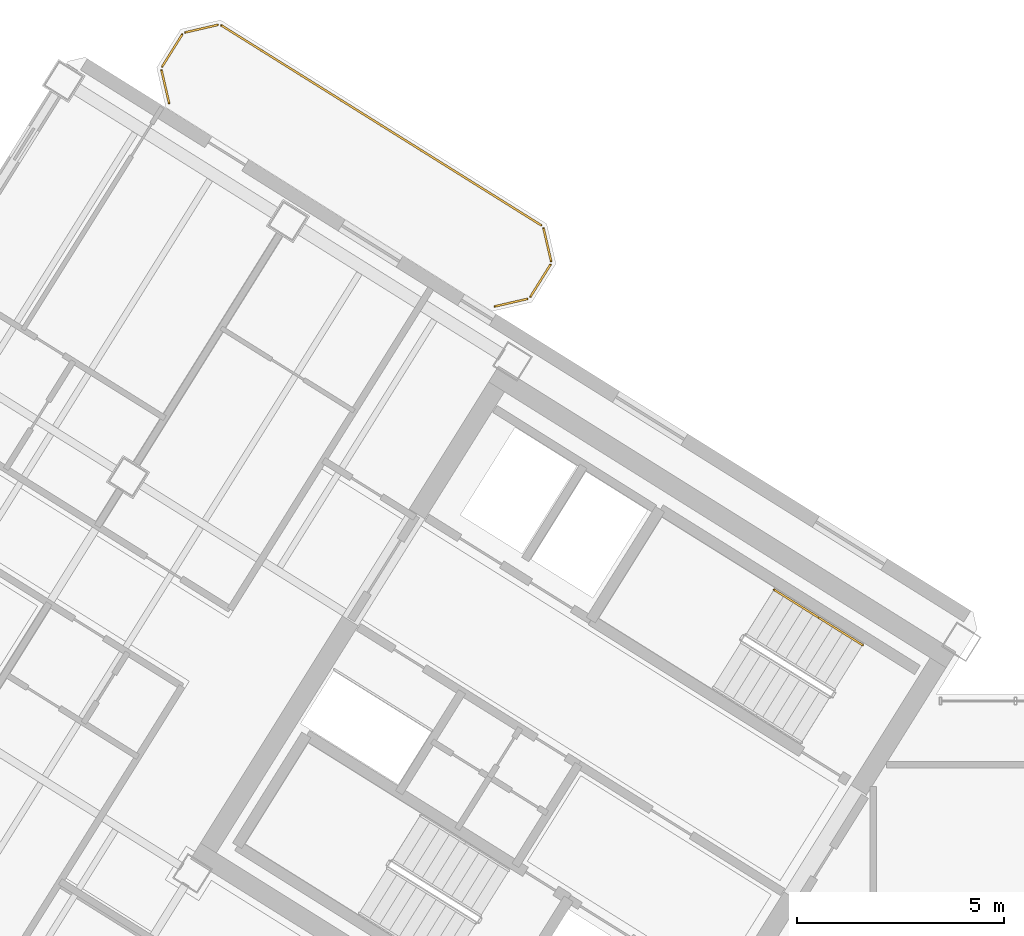
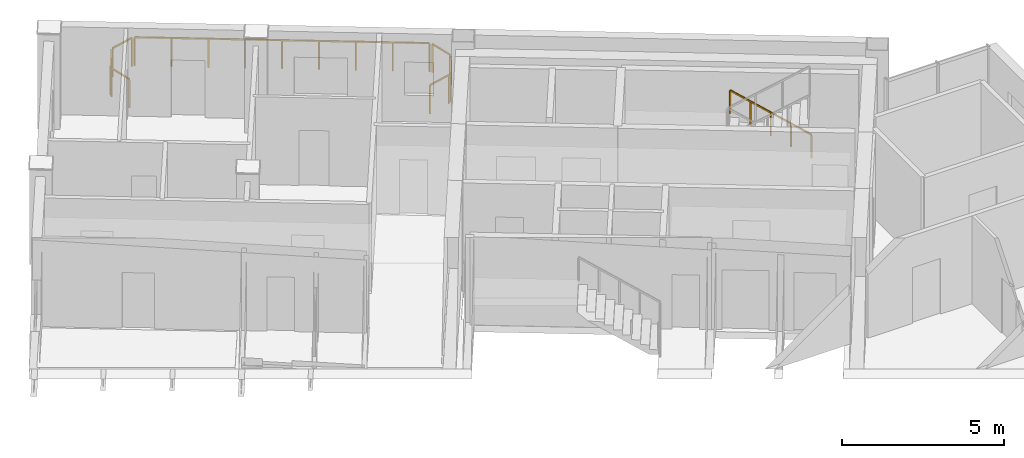
# One storey, part 13 of 13: 9 railings.
"""IFC4 building model written with IfcOpenShell, lengths in metres."""

from ifc_helpers import new_model, si_unit, direction, frame, origin, origin_2d, place, context, subcontext, project, spatial, rectangle, extrude, source, transform, mapped, material, type_object, element, save


model = new_model("IFC4")

# Units and contexts
model_context = context("Model", 3, precision=1e-05, world=origin(), true_north=direction((0.0, 1.0)))
body_context = subcontext(model_context, "Body", "Model", "MODEL_VIEW")
ifc_project = project(units=[si_unit("LENGTHUNIT", "METRE"), si_unit("AREAUNIT", "SQUARE_METRE"), si_unit("VOLUMEUNIT", "CUBIC_METRE"), si_unit("PLANEANGLEUNIT", "RADIAN"), si_unit("MASSUNIT", "GRAM", prefix="KILO")], contexts=[model_context])

# Site, building, storey
site_placement = place(None, origin())
site = spatial("IfcSite", under=ifc_project, at=site_placement, CompositionType="ELEMENT")
building_placement = place(site_placement, origin())
building = spatial("IfcBuilding", under=site, at=building_placement, Name="Tlacorven Tower", CompositionType="ELEMENT")
storey_placement = place(building_placement, frame((0.0, 0.0, 295.199951171875)))
storey = spatial("IfcBuildingStorey", under=building, at=storey_placement, Name="L75", CompositionType="ELEMENT", Elevation=295.199951171875)

# Railings
ifc_material = material(Name="Aluminium and painted steel balustrade", Category="steel")
railing_type_1 = type_object("IfcRailingType", Name="RL-BAL-1100", PredefinedType="BALUSTRADE", material=ifc_material)
shared_shape_1 = source(origin(), body_context, "Body", "SweptSolid", [
    extrude(rectangle(XDim=0.048095703125, YDim=0.048095703125, at=origin_2d()), frame((0.0, 0.0, 1.076171875), z_axis=(0.225058334816, -0.974345290916, 0.0), x_axis=(0.974345290916, 0.225058334816, 0.0)), (0.0, 0.0, 1.0), 0.80712890625),
    extrude(rectangle(XDim=0.0419921875, YDim=0.0419921875, at=origin_2d()), origin(), (0.0, 0.0, 1.0), 1.052001953125),
    extrude(rectangle(XDim=0.0419921875, YDim=0.0419921875, at=origin_2d()), frame((0.181640625, -0.786376953125, 0.0)), (0.0, 0.0, 1.0), 1.052001953125),
])
railing_1_placement = place(storey_placement, frame((30.6796875, 34.466064453125, 0.0)))
element("IfcRailing", 1, at=railing_1_placement, inside=storey, type_object=railing_type_1, Name="BAL-L75-W-IN Guard Railing 1", PredefinedType="BALUSTRADE", context=body_context, shape_type="MappedRepresentation", body=[
    mapped(shared_shape_1, transform((0.0, 0.0, 0.0), scale=1.0)),
])
shared_shape_2 = source(origin(), body_context, "Body", "SweptSolid", [
    extrude(rectangle(XDim=0.048095703125, YDim=0.048095703125, at=origin_2d()), frame((0.0, 0.0, 1.076171875), z_axis=(-0.52987865805, -0.848073468364, 0.0), x_axis=(0.848073468364, -0.52987865805, 0.0)), (0.0, 0.0, 1.0), 0.912353515625),
    extrude(rectangle(XDim=0.0419921875, YDim=0.0419921875, at=origin_2d()), origin(), (0.0, 0.0, 1.0), 1.052001953125),
    extrude(rectangle(XDim=0.0419921875, YDim=0.0419921875, at=origin_2d()), frame((-0.4833984375, -0.773681640625, 0.0)), (0.0, 0.0, 1.0), 1.052001953125),
])
railing_2_placement = place(storey_placement, frame((30.845947265625, 33.588623046875, 0.0)))
element("IfcRailing", 2, at=railing_2_placement, inside=storey, type_object=railing_type_1, Name="BAL-L75-W-IN Guard Railing 2", PredefinedType="BALUSTRADE", context=body_context, shape_type="MappedRepresentation", body=[
    mapped(shared_shape_2, transform((0.0, 0.0, 0.0), scale=1.0)),
])
shared_shape_3 = source(origin(), body_context, "Body", "SweptSolid", [
    extrude(rectangle(XDim=0.048095703125, YDim=0.048095703125, at=origin_2d()), frame((0.0, 0.0, 1.076171875), z_axis=(-0.225058334816, 0.974345290916, 0.0), x_axis=(-0.974345290916, -0.225058334816, 0.0)), (0.0, 0.0, 1.0), 0.80712890625),
    extrude(rectangle(XDim=0.0419921875, YDim=0.0419921875, at=origin_2d()), origin(), (0.0, 0.0, 1.0), 1.052001953125),
    extrude(rectangle(XDim=0.0419921875, YDim=0.0419921875, at=origin_2d()), frame((-0.181640625, 0.786376953125, 0.0)), (0.0, 0.0, 1.0), 1.052001953125),
])
railing_3_placement = place(storey_placement, frame((21.62451171875, 37.501708984375, 0.0)))
element("IfcRailing", 3, at=railing_3_placement, inside=storey, type_object=railing_type_1, Name="BAL-L75-W-IN Guard Railing 4", PredefinedType="BALUSTRADE", context=body_context, shape_type="MappedRepresentation", body=[
    mapped(shared_shape_3, transform((0.0, 0.0, 0.0), scale=1.0)),
])
shared_shape_4 = source(origin(), body_context, "Body", "SweptSolid", [
    extrude(rectangle(XDim=0.048095703125, YDim=0.048095703125, at=origin_2d()), frame((0.0, 0.0, 1.076171875), z_axis=(0.52987865805, 0.848073468364, 0.0), x_axis=(-0.848073468364, 0.52987865805, 0.0)), (0.0, 0.0, 1.0), 0.912353515625),
    extrude(rectangle(XDim=0.0419921875, YDim=0.0419921875, at=origin_2d()), origin(), (0.0, 0.0, 1.0), 1.052001953125),
    extrude(rectangle(XDim=0.0419921875, YDim=0.0419921875, at=origin_2d()), frame((0.4833984375, 0.773681640625, 0.0)), (0.0, 0.0, 1.0), 1.052001953125),
])
railing_4_placement = place(storey_placement, frame((21.4580078125, 38.379150390625, 0.0)))
element("IfcRailing", 4, at=railing_4_placement, inside=storey, type_object=railing_type_1, Name="BAL-L75-W-IN Guard Railing 5", PredefinedType="BALUSTRADE", context=body_context, shape_type="MappedRepresentation", body=[
    mapped(shared_shape_4, transform((0.0, 0.0, 0.0), scale=1.0)),
])
shared_shape_5 = source(origin(), body_context, "Body", "SweptSolid", [
    extrude(rectangle(XDim=0.048095703125, YDim=0.048095703125, at=origin_2d()), frame((0.0, 0.0, 1.076171875), z_axis=(-0.974345290916, -0.225058334816, 0.0), x_axis=(0.225058334816, -0.974345290916, 0.0)), (0.0, 0.0, 1.0), 0.80712890625),
    extrude(rectangle(XDim=0.0419921875, YDim=0.0419921875, at=origin_2d()), origin(), (0.0, 0.0, 1.0), 1.052001953125),
    extrude(rectangle(XDim=0.0419921875, YDim=0.0419921875, at=origin_2d()), frame((-0.786376953125, -0.181640625, 0.0)), (0.0, 0.0, 1.0), 1.052001953125),
])
railing_5_placement = place(storey_placement, frame((30.287353515625, 32.761474609375, 0.0)))
element("IfcRailing", 5, at=railing_5_placement, inside=storey, type_object=railing_type_1, Name="BAL-L75-W-IN Guard Railing 3", PredefinedType="BALUSTRADE", context=body_context, shape_type="MappedRepresentation", body=[
    mapped(shared_shape_5, transform((0.0, 0.0, 0.0), scale=1.0)),
])
shared_shape_6 = source(origin(), body_context, "Body", "SweptSolid", [
    extrude(rectangle(XDim=0.048095703125, YDim=0.048095703125, at=origin_2d()), frame((0.0, 0.0, 1.076171875), z_axis=(0.974360606036, 0.224992020761, 0.0), x_axis=(-0.224992020761, 0.974360606036, 0.0)), (0.0, 0.0, 1.0), 0.807373046875),
    extrude(rectangle(XDim=0.0419921875, YDim=0.0419921875, at=origin_2d()), origin(), (0.0, 0.0, 1.0), 1.052001953125),
    extrude(rectangle(XDim=0.0419921875, YDim=0.0419921875, at=origin_2d()), frame((0.78662109375, 0.181640625, 0.0)), (0.0, 0.0, 1.0), 1.052001953125),
])
railing_6_placement = place(storey_placement, frame((22.0166015625, 39.206298828125, 0.0)))
element("IfcRailing", 6, at=railing_6_placement, inside=storey, type_object=railing_type_1, Name="BAL-L75-W-IN Guard Railing 6", PredefinedType="BALUSTRADE", context=body_context, shape_type="MappedRepresentation", body=[
    mapped(shared_shape_6, transform((0.0, 0.0, 0.0), scale=1.0)),
])
shared_shape_7 = source(origin(), body_context, "Body", "SweptSolid", [
    extrude(rectangle(XDim=0.048095703125, YDim=0.048095703125, at=origin_2d()), frame((0.0, 0.0, 1.076171875), z_axis=(0.848035911573, -0.529938763144, 0.0), x_axis=(0.529938763144, 0.848035911573, 0.0)), (0.0, 0.0, 1.0), 9.1171875),
    extrude(rectangle(XDim=0.0419921875, YDim=0.0419921875, at=origin_2d()), origin(), (0.0, 0.0, 1.0), 1.052001953125),
    extrude(rectangle(XDim=0.0419921875, YDim=0.0419921875, at=origin_2d()), frame((0.966552734375, -0.60400390625, 0.0)), (0.0, 0.0, 1.0), 1.052001953125),
    extrude(rectangle(XDim=0.0419921875, YDim=0.0419921875, at=origin_2d()), frame((1.932861328125, -1.2080078125, 0.0)), (0.0, 0.0, 1.0), 1.052001953125),
    extrude(rectangle(XDim=0.0419921875, YDim=0.0419921875, at=origin_2d()), frame((2.8994140625, -1.811767578125, 0.0)), (0.0, 0.0, 1.0), 1.052001953125),
    extrude(rectangle(XDim=0.0419921875, YDim=0.0419921875, at=origin_2d()), frame((3.86572265625, -2.415771484375, 0.0)), (0.0, 0.0, 1.0), 1.052001953125),
    extrude(rectangle(XDim=0.0419921875, YDim=0.0419921875, at=origin_2d()), frame((4.832275390625, -3.019775390625, 0.0)), (0.0, 0.0, 1.0), 1.052001953125),
    extrude(rectangle(XDim=0.0419921875, YDim=0.0419921875, at=origin_2d()), frame((5.798828125, -3.62353515625, 0.0)), (0.0, 0.0, 1.0), 1.052001953125),
    extrude(rectangle(XDim=0.0419921875, YDim=0.0419921875, at=origin_2d()), frame((6.76513671875, -4.2275390625, 0.0)), (0.0, 0.0, 1.0), 1.052001953125),
    extrude(rectangle(XDim=0.0419921875, YDim=0.0419921875, at=origin_2d()), frame((7.731689453125, -4.83154296875, 0.0)), (0.0, 0.0, 1.0), 1.052001953125),
])
railing_7_placement = place(storey_placement, frame((22.894287109375, 39.372802734375, 0.0)))
element("IfcRailing", 7, at=railing_7_placement, inside=storey, type_object=railing_type_1, Name="BAL-L75-W-IN Guard Railing 7", PredefinedType="BALUSTRADE", context=body_context, shape_type="MappedRepresentation", body=[
    mapped(shared_shape_7, transform((0.0, 0.0, 0.0), scale=1.0)),
])
railing_type_2 = type_object("IfcRailingType", Name="RL-HND-0900", PredefinedType="HANDRAIL", material=ifc_material)
shared_shape_8 = source(origin(), body_context, "Body", "SweptSolid", [
    extrude(rectangle(XDim=0.048095703125, YDim=0.048095703125, at=origin_2d()), frame((0.0, 0.0, 0.8759765625), z_axis=(-0.713359751793, 0.4457479829, 0.540764828981), x_axis=(-0.529911857636, -0.848052724267, 0.0)), (0.0, 0.0, 1.0), 1.498046875),
    extrude(rectangle(XDim=0.0419921875, YDim=0.0419921875, at=origin_2d()), origin(), (0.0, 0.0, 1.0), 0.851806640625),
    extrude(rectangle(XDim=0.0419921875, YDim=0.0419921875, at=origin_2d()), frame((-0.5341796875, 0.333984375, 0.405029296875)), (0.0, 0.0, 1.0), 0.851806640625),
    extrude(rectangle(XDim=0.0419921875, YDim=0.0419921875, at=origin_2d()), frame((-1.068603515625, 0.667724609375, 0.81005859375)), (0.0, 0.0, 1.0), 0.851806640625),
])
for number, where, name in (
    (8, (38.390625, 24.39501953125, 0.179931640625), "L75 ST-W2 stair handrail 1"),
    (9, (37.322021484375, 25.062744140625, 0.989990234375), "L75 ST-W2 stair handrail 2"),
):
    element("IfcRailing", number, at=place(storey_placement, frame(where)), inside=storey, type_object=railing_type_2, Name=name, PredefinedType="HANDRAIL", context=body_context, shape_type="MappedRepresentation", body=[
        mapped(shared_shape_8, transform((0.0, 0.0, 0.0), scale=1.0)),
    ])

save(model, "model.ifc")
